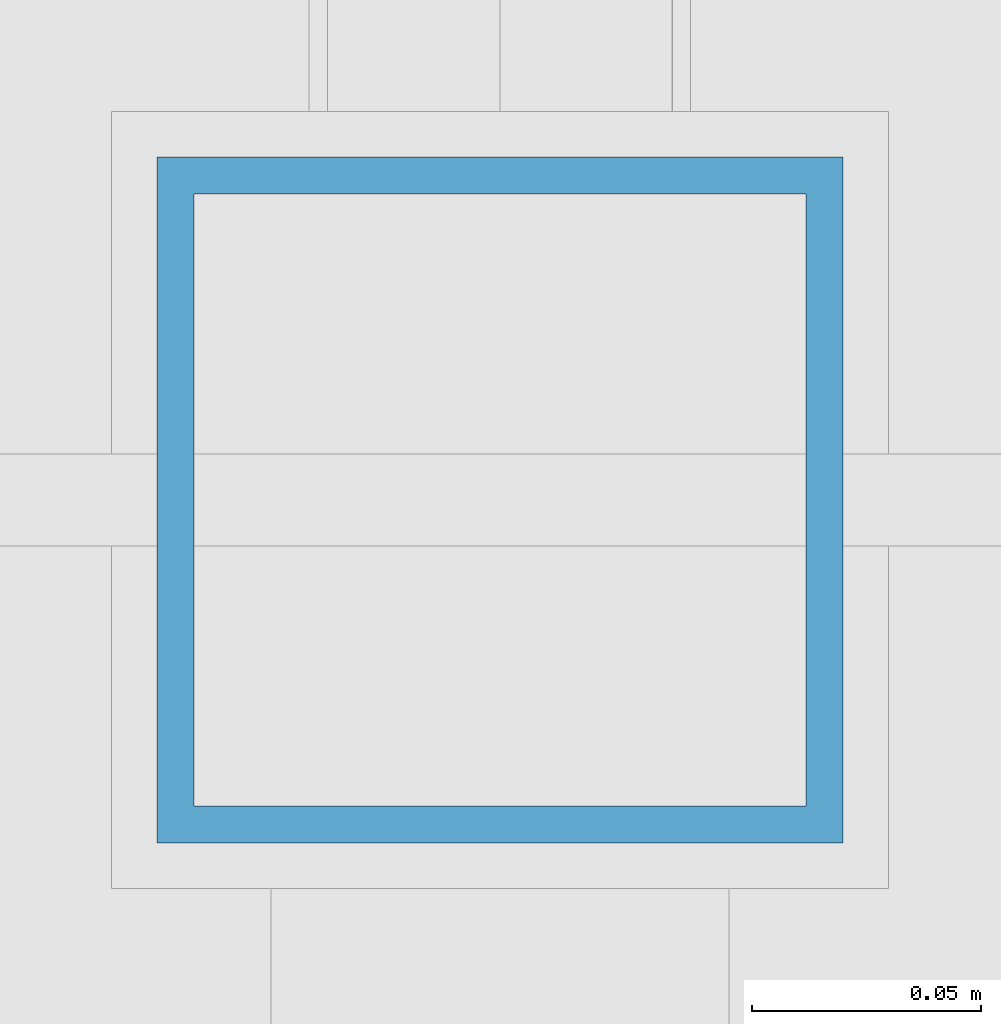
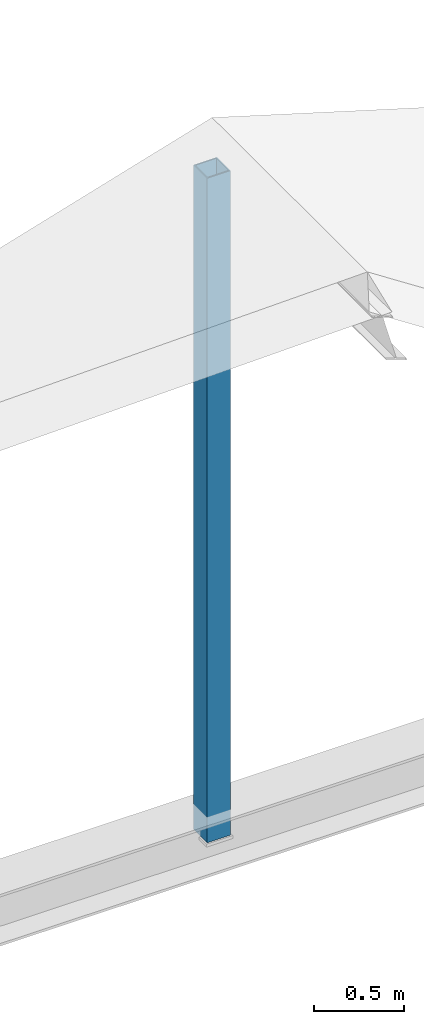
# One storey, part 67 of 204: 1 member.
"""IFC4 building model written with IfcOpenShell, lengths in metres."""

from ifc_helpers import new_model, si_unit, direction, frame, origin, origin_2d, place, context, subcontext, project, spatial, hollow_rectangle, extrude, material, material_profile, profile_set, type_object, element, save


model = new_model("IFC4")

# Units and contexts
model_context = context("Model", 3, precision=1e-05, world=origin(), true_north=direction((0.0, 1.0)))
body_context = subcontext(model_context, "Body", "Model", "MODEL_VIEW")
ifc_project = project(units=[si_unit("LENGTHUNIT", "METRE"), si_unit("AREAUNIT", "SQUARE_METRE"), si_unit("VOLUMEUNIT", "CUBIC_METRE"), si_unit("PLANEANGLEUNIT", "RADIAN"), si_unit("MASSUNIT", "GRAM", prefix="KILO")], contexts=[model_context])

# Site, building, storey
site_placement = place(None, origin())
site = spatial("IfcSite", under=ifc_project, at=site_placement, CompositionType="ELEMENT")
building_placement = place(site_placement, origin())
building = spatial("IfcBuilding", under=site, at=building_placement, Name="Zilviju Railside Exhibition Hall", CompositionType="ELEMENT")
storey_placement = place(building_placement, frame((0.0, 0.0, 21.0)))
storey = spatial("IfcBuildingStorey", under=building, at=storey_placement, Name="RF", CompositionType="ELEMENT", Elevation=21.0)

# Member
ifc_material = material(Name="Steel S355J2", Category="steel")
ifc_material_profile = material_profile(ifc_material, hollow_rectangle(XDim=0.14990234375, YDim=0.14990234375, WallThickness=0.008056640625, at=origin_2d()), Name="SHS 150x150x8.0")
ifc_profile_set = profile_set([ifc_material_profile], Name="Steel S355J2")
member_type = type_object("IfcMemberType", Name="TR-POST-SHS150", PredefinedType="POST", material=ifc_profile_set)
member_placement = place(storey_placement, frame((63.0, 120.0, -8.39990234375), z_axis=(0.0, 0.0, 1.0), x_axis=(1.0, 0.0, 0.0)))
element("IfcMember", 1, at=member_placement, inside=storey, type_object=member_type, Name="Concourse Saddle King Post Y=120.0", PredefinedType="POST", context=body_context, shape_type="SweptSolid", body=[
    extrude(hollow_rectangle(XDim=0.14990234375, YDim=0.14990234375, WallThickness=0.008056640625, at=origin_2d()), origin(), (0.0, 0.0, 1.0), 4.5),
])

save(model, "model.ifc")
